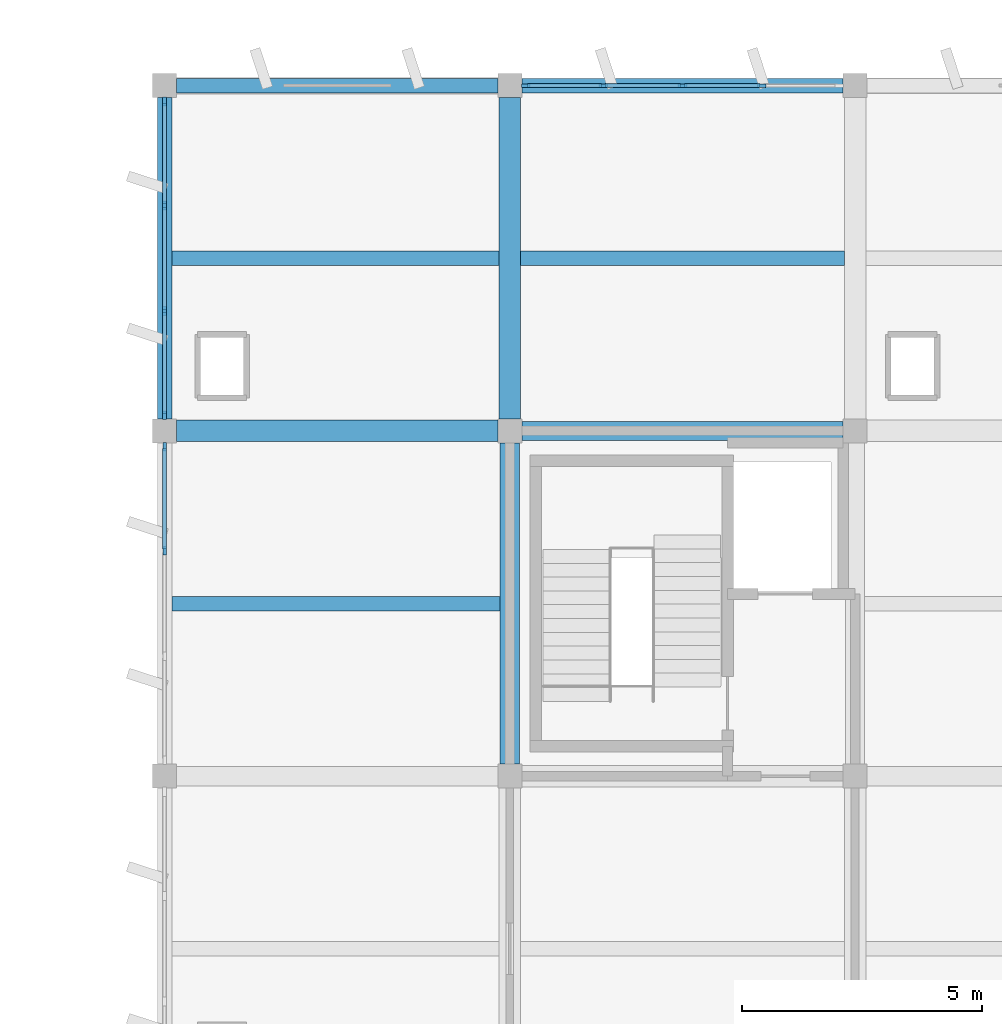
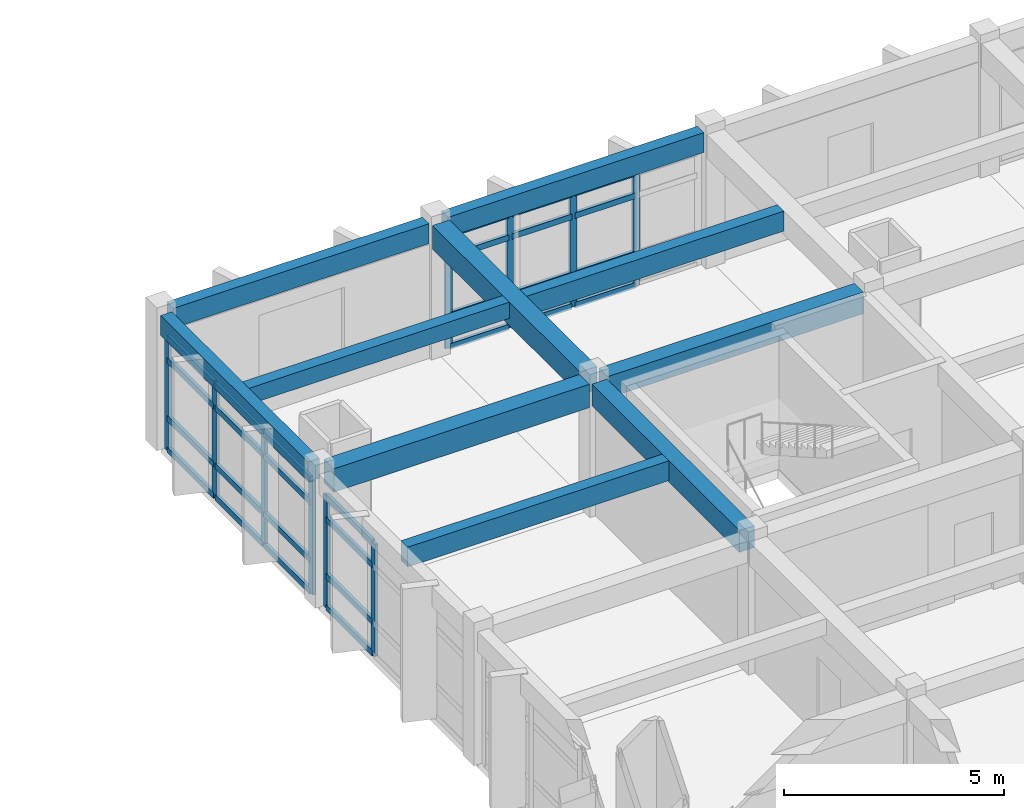
# One storey, part 17 of 40: 38 members, 10 beams, 3 elements without a shape of their own.
"""IFC4 building model written with IfcOpenShell, lengths in metres."""

from ifc_helpers import new_model, si_unit, direction, frame, origin, origin_2d, place, context, subcontext, project, spatial, rectangle, extrude, material, layer, layer_set, material_profile, profile_set, type_object, element, aggregate, save


model = new_model("IFC4")

# Units and contexts
model_context = context("Model", 3, precision=1e-05, world=origin(), true_north=direction((0.0, 1.0)))
body_context = subcontext(model_context, "Body", "Model", "MODEL_VIEW")
ifc_project = project(units=[si_unit("LENGTHUNIT", "METRE"), si_unit("AREAUNIT", "SQUARE_METRE"), si_unit("VOLUMEUNIT", "CUBIC_METRE"), si_unit("PLANEANGLEUNIT", "RADIAN"), si_unit("MASSUNIT", "GRAM", prefix="KILO")], contexts=[model_context])

# Site, building, storey
site_placement = place(None, origin())
site = spatial("IfcSite", under=ifc_project, at=site_placement, CompositionType="ELEMENT")
building_placement = place(site_placement, origin())
building = spatial("IfcBuilding", under=site, at=building_placement, Name="Kavelor Marine Aquarium", CompositionType="ELEMENT")
storey_placement = place(building_placement, frame((0.0, 0.0, 17.639892578125)))
storey = spatial("IfcBuildingStorey", under=building, at=storey_placement, Name="L04", CompositionType="ELEMENT", Elevation=17.639892578125)

# Beams
ifc_material_1 = material(Name="Concrete C40/50", Category="concrete")
ifc_material_profile_1 = material_profile(ifc_material_1, rectangle(XDim=0.449951171875, YDim=0.64990234375, at=origin_2d()), Name="RC-BM 450x650")
ifc_profile_set_1 = profile_set([ifc_material_profile_1], Name="Concrete C40/50")
beam_type_1 = type_object("IfcBeamType", Name="BM-B3", PredefinedType="BEAM", material=ifc_profile_set_1)
beam_1_placement = place(storey_placement, frame((118.64990234375, 103.60009765625, 3.355224609375), z_axis=(1.0, 0.0, 0.0), x_axis=(0.0, 1.0, 0.0)))
element("IfcBeam", 1, at=beam_1_placement, inside=storey, type_object=beam_type_1, Name="bm:x:L04:L05:16_14", PredefinedType="BEAM", context=body_context, shape_type="SweptSolid", body=[
    extrude(rectangle(XDim=0.449951171875, YDim=0.64990234375, at=origin_2d()), origin(), (0.0, 0.0, 1.0), 6.7001953125),
])
beam_2_placement = place(storey_placement, frame((125.60009765625, 103.85009765625, 3.39501953125), z_axis=(0.0, 1.0, 0.0), x_axis=(-1.0, 0.0, 0.0)))
element("IfcBeam", 2, at=beam_2_placement, inside=storey, type_object=beam_type_1, Name="bm:y:L04:L05:17_14", PredefinedType="BEAM", context=body_context, shape_type="SweptSolid", body=[
    extrude(rectangle(XDim=0.449951171875, YDim=0.64990234375, at=origin_2d()), origin(), (0.0, 0.0, 1.0), 6.699951171875),
])
ifc_material_2 = material(Name="Concrete C40/50", Category="concrete")
ifc_material_profile_2 = material_profile(ifc_material_2, rectangle(XDim=0.39990234375, YDim=0.60009765625, at=origin_2d()), Name="RC-BM 400x600")
ifc_profile_set_2 = profile_set([ifc_material_profile_2], Name="Concrete C40/50")
beam_type_2 = type_object("IfcBeamType", Name="BM-B4", PredefinedType="BEAM", material=ifc_profile_set_2)
beam_3_placement = place(storey_placement, frame((125.85009765625, 103.60009765625, 3.400146484375), z_axis=(1.0, 0.0, 0.0), x_axis=(0.0, 1.0, 0.0)))
element("IfcBeam", 3, at=beam_3_placement, inside=storey, type_object=beam_type_2, Name="bm:x:L04:L05:17_14", PredefinedType="BEAM", context=body_context, shape_type="SweptSolid", body=[
    extrude(rectangle(XDim=0.39990234375, YDim=0.60009765625, at=origin_2d()), origin(), (0.0, 0.0, 1.0), 6.699951171875),
])
beam_4_placement = place(storey_placement, frame((125.60009765625, 96.64990234375, 3.380126953125), z_axis=(0.0, 1.0, 0.0), x_axis=(-1.0, 0.0, 0.0)))
element("IfcBeam", 4, at=beam_4_placement, inside=storey, type_object=beam_type_2, Name="bm:y:L04:L05:17_13", PredefinedType="BEAM", context=body_context, shape_type="SweptSolid", body=[
    extrude(rectangle(XDim=0.39990234375, YDim=0.60009765625, at=origin_2d()), origin(), (0.0, 0.0, 1.0), 6.7001953125),
])
ifc_material_3 = material(Name="Concrete C40/50", Category="concrete")
ifc_material_profile_3 = material_profile(ifc_material_3, rectangle(XDim=0.300048828125, YDim=0.449951171875, at=origin_2d()), Name="RC-JS 300x450")
ifc_profile_set_3 = profile_set([ifc_material_profile_3], Name="Concrete C40/50")
beam_type_3 = type_object("IfcBeamType", Name="BM-JS1", PredefinedType="JOIST", material=ifc_profile_set_3)
beam_5_placement = place(storey_placement, frame((118.550048828125, 107.199951171875, 3.4951171875), z_axis=(1.0, 0.0, 0.0), x_axis=(0.0, 1.0, 0.0)))
element("IfcBeam", 5, at=beam_5_placement, inside=storey, type_object=beam_type_3, Name="js:L04:L05:16_14", PredefinedType="JOIST", context=body_context, shape_type="SweptSolid", body=[
    extrude(rectangle(XDim=0.300048828125, YDim=0.449951171875, at=origin_2d()), origin(), (0.0, 0.0, 1.0), 6.824951171875),
])
ifc_material_4 = material(Name="Concrete C40/50", Category="concrete")
ifc_material_profile_4 = material_profile(ifc_material_4, rectangle(XDim=0.300048828125, YDim=0.550048828125, at=origin_2d()), Name="RC-JS 300x550")
ifc_profile_set_4 = profile_set([ifc_material_profile_4], Name="Concrete C40/50")
beam_type_4 = type_object("IfcBeamType", Name="BM-JS2", PredefinedType="JOIST", material=ifc_profile_set_4)
beam_6_placement = place(storey_placement, frame((118.550048828125, 100.0, 3.405029296875), z_axis=(1.0, 0.0, 0.0), x_axis=(0.0, 1.0, 0.0)))
element("IfcBeam", 6, at=beam_6_placement, inside=storey, type_object=beam_type_4, Name="js:L04:L05:16_13", PredefinedType="JOIST", context=body_context, shape_type="SweptSolid", body=[
    extrude(rectangle(XDim=0.300048828125, YDim=0.550048828125, at=origin_2d()), origin(), (0.0, 0.0, 1.0), 6.849853515625),
])
beam_7_placement = place(storey_placement, frame((125.824951171875, 107.199951171875, 3.445068359375), z_axis=(1.0, 0.0, 0.0), x_axis=(0.0, 1.0, 0.0)))
element("IfcBeam", 7, at=beam_7_placement, inside=storey, type_object=beam_type_4, Name="js:L04:L05:17_14", PredefinedType="JOIST", context=body_context, shape_type="SweptSolid", body=[
    extrude(rectangle(XDim=0.300048828125, YDim=0.550048828125, at=origin_2d()), origin(), (0.0, 0.0, 1.0), 6.75),
])
ifc_material_5 = material(Name="Concrete C40/50", Category="concrete")
ifc_material_profile_5 = material_profile(ifc_material_5, rectangle(XDim=0.300048828125, YDim=0.550048828125, at=origin_2d()), Name="RC-SP 300x550")
ifc_profile_set_5 = profile_set([ifc_material_profile_5], Name="Concrete C40/50")
beam_type_5 = type_object("IfcBeamType", Name="BM-SP2", PredefinedType="SPANDREL", material=ifc_profile_set_5)
beam_8_placement = place(storey_placement, frame((118.64990234375, 110.800048828125, 3.445068359375), z_axis=(1.0, 0.0, 0.0), x_axis=(0.0, 1.0, 0.0)))
element("IfcBeam", 8, at=beam_8_placement, inside=storey, type_object=beam_type_5, Name="bm:x:L04:L05:16_15", PredefinedType="SPANDREL", context=body_context, shape_type="SweptSolid", body=[
    extrude(rectangle(XDim=0.300048828125, YDim=0.550048828125, at=origin_2d()), origin(), (0.0, 0.0, 1.0), 6.7001953125),
])
for number, where, z_axis, x_axis, name in (
    (9, (125.85009765625, 110.800048828125, 3.445068359375), (1.0, 0.0, 0.0), (0.0, 1.0, 0.0), "bm:x:L04:L05:17_15"),
    (10, (118.39990234375, 103.85009765625, 3.445068359375), (0.0, 1.0, 0.0), (-1.0, 0.0, 0.0), "bm:y:L04:L05:16_14"),
):
    element("IfcBeam", number, at=place(storey_placement, frame(where, z_axis=z_axis, x_axis=x_axis)), inside=storey, type_object=beam_type_5, Name=name, PredefinedType="SPANDREL", context=body_context, shape_type="SweptSolid", body=[
        extrude(rectangle(XDim=0.300048828125, YDim=0.550048828125, at=origin_2d()), origin(), (0.0, 0.0, 1.0), 6.699951171875),
    ])

# Curtain wall, members
ifc_material_6 = material(Name="Thermally Broken Aluminium and Low-E Glass", Category="aluminium")
ifc_layer_1 = layer(ifc_material_6, 0.26806640625)
ifc_layer_set_1 = layer_set([ifc_layer_1], Name="CW-SYS16")
curtain_wall_type_1 = type_object("IfcCurtainWallType", Name="CW-SYS16", PredefinedType="USERDEFINED", material=ifc_layer_set_1)
curtain_wall_1_placement = place(storey_placement, origin())
curtain_wall_1 = element("IfcCurtainWall", 11, at=curtain_wall_1_placement, inside=storey, type_object=curtain_wall_type_1, Name="cw:x:L04:17_15", ObjectType="Curtain Wall", PredefinedType="USERDEFINED")
ifc_material_7 = material(Name="Anodised Aluminium Alloy 6063-T6", Category="aluminium")
ifc_material_profile_6 = material_profile(ifc_material_7, rectangle(XDim=0.074951171875, YDim=0.179931640625, at=origin_2d()), Name="CW-MUL 75x180")
ifc_profile_set_6 = profile_set([ifc_material_profile_6], Name="Anodised Aluminium Alloy 6063-T6")
member_type_1 = type_object("IfcMemberType", Name="CWM-1", PredefinedType="MULLION", material=ifc_profile_set_6)
member_1_placement = place(storey_placement, frame((125.9326171875, 110.800048828125, 0.0), z_axis=(0.0, 0.0, 1.0), x_axis=(0.0, 1.0, 0.0)))
member_1 = element("IfcMember", 12, at=member_1_placement, type_object=member_type_1, Name="CW16 mullion 1", PredefinedType="MULLION", context=body_context, shape_type="SweptSolid", body=[
    extrude(rectangle(XDim=0.074951171875, YDim=0.179931640625, at=origin_2d()), origin(), (0.0, 0.0, 1.0), 3.16015625),
])
member_2_placement = place(storey_placement, frame((127.547607421875, 110.800048828125, 0.0), z_axis=(0.0, 0.0, 1.0), x_axis=(0.0, 1.0, 0.0)))
member_2 = element("IfcMember", 13, at=member_2_placement, type_object=member_type_1, Name="CW16 mullion 2", PredefinedType="MULLION", context=body_context, shape_type="SweptSolid", body=[
    extrude(rectangle(XDim=0.074951171875, YDim=0.179931640625, at=origin_2d()), origin(), (0.0, 0.0, 1.0), 3.16015625),
])
member_3_placement = place(storey_placement, frame((129.199951171875, 110.800048828125, 0.0), z_axis=(0.0, 0.0, 1.0), x_axis=(0.0, 1.0, 0.0)))
member_3 = element("IfcMember", 14, at=member_3_placement, type_object=member_type_1, Name="CW16 mullion 3", PredefinedType="MULLION", context=body_context, shape_type="SweptSolid", body=[
    extrude(rectangle(XDim=0.074951171875, YDim=0.179931640625, at=origin_2d()), origin(), (0.0, 0.0, 1.0), 3.16015625),
])
member_4_placement = place(storey_placement, frame((130.8525390625, 110.800048828125, 0.0), z_axis=(0.0, 0.0, 1.0), x_axis=(0.0, 1.0, 0.0)))
member_4 = element("IfcMember", 15, at=member_4_placement, type_object=member_type_1, Name="CW16 mullion 4", PredefinedType="MULLION", context=body_context, shape_type="SweptSolid", body=[
    extrude(rectangle(XDim=0.074951171875, YDim=0.179931640625, at=origin_2d()), origin(), (0.0, 0.0, 1.0), 3.16015625),
])

ifc_material_8 = material(Name="Thermally Broken Aluminium and Low-E Glass", Category="aluminium")
ifc_layer_2 = layer(ifc_material_8, 0.31591796875)
ifc_layer_set_2 = layer_set([ifc_layer_2], Name="CW-SYS22")
curtain_wall_type_2 = type_object("IfcCurtainWallType", Name="CW-SYS22", PredefinedType="USERDEFINED", material=ifc_layer_set_2)
curtain_wall_2_placement = place(storey_placement, origin())
curtain_wall_2 = element("IfcCurtainWall", 16, at=curtain_wall_2_placement, inside=storey, type_object=curtain_wall_type_2, Name="cw:y:L04:16_13", ObjectType="Curtain Wall", PredefinedType="USERDEFINED")
member_5_placement = place(storey_placement, frame((118.39990234375, 103.267578125, 0.0), z_axis=(0.0, 0.0, 1.0), x_axis=(1.0, 0.0, 0.0)))
member_5 = element("IfcMember", 17, at=member_5_placement, type_object=member_type_1, Name="CW22 mullion 1", PredefinedType="MULLION", context=body_context, shape_type="SweptSolid", body=[
    extrude(rectangle(XDim=0.074951171875, YDim=0.179931640625, at=origin_2d()), origin(), (0.0, 0.0, 1.0), 3.1201171875),
])
member_6_placement = place(storey_placement, frame((118.39990234375, 101.1015625, 0.0), z_axis=(0.0, 0.0, 1.0), x_axis=(1.0, 0.0, 0.0)))
member_6 = element("IfcMember", 18, at=member_6_placement, type_object=member_type_1, Name="CW22 mullion 2", PredefinedType="MULLION", context=body_context, shape_type="SweptSolid", body=[
    extrude(rectangle(XDim=0.074951171875, YDim=0.179931640625, at=origin_2d()), origin(), (0.0, 0.0, 1.0), 3.1201171875),
])

ifc_material_9 = material(Name="Thermally Broken Aluminium and Low-E Glass", Category="aluminium")
ifc_layer_3 = layer(ifc_material_9, 0.323974609375)
ifc_layer_set_3 = layer_set([ifc_layer_3], Name="CW-SYS23")
curtain_wall_type_3 = type_object("IfcCurtainWallType", Name="CW-SYS23", PredefinedType="USERDEFINED", material=ifc_layer_set_3)
curtain_wall_3_placement = place(storey_placement, origin())
curtain_wall_3 = element("IfcCurtainWall", 19, at=curtain_wall_3_placement, inside=storey, type_object=curtain_wall_type_3, Name="cw:y:L04:16_14", ObjectType="Curtain Wall", PredefinedType="USERDEFINED")
ifc_material_10 = material(Name="Anodised Aluminium Alloy 6063-T6", Category="aluminium")
ifc_material_profile_7 = material_profile(ifc_material_10, rectangle(XDim=0.080078125, YDim=0.18505859375, at=origin_2d()), Name="CW-MUL 80x185")
ifc_profile_set_7 = profile_set([ifc_material_profile_7], Name="Anodised Aluminium Alloy 6063-T6")
member_type_2 = type_object("IfcMemberType", Name="CWM-2", PredefinedType="MULLION", material=ifc_profile_set_7)
member_7_placement = place(storey_placement, frame((118.39990234375, 110.472412109375, 0.0), z_axis=(0.0, 0.0, 1.0), x_axis=(1.0, 0.0, 0.0)))
member_7 = element("IfcMember", 20, at=member_7_placement, type_object=member_type_2, Name="CW23 mullion 1", PredefinedType="MULLION", context=body_context, shape_type="SweptSolid", body=[
    extrude(rectangle(XDim=0.080078125, YDim=0.18505859375, at=origin_2d()), origin(), (0.0, 0.0, 1.0), 3.16015625),
])
member_8_placement = place(storey_placement, frame((118.39990234375, 108.3017578125, 0.0), z_axis=(0.0, 0.0, 1.0), x_axis=(1.0, 0.0, 0.0)))
member_8 = element("IfcMember", 21, at=member_8_placement, type_object=member_type_2, Name="CW23 mullion 2", PredefinedType="MULLION", context=body_context, shape_type="SweptSolid", body=[
    extrude(rectangle(XDim=0.080078125, YDim=0.18505859375, at=origin_2d()), origin(), (0.0, 0.0, 1.0), 3.16015625),
])
member_9_placement = place(storey_placement, frame((118.39990234375, 106.098388671875, 0.0), z_axis=(0.0, 0.0, 1.0), x_axis=(1.0, 0.0, 0.0)))
member_9 = element("IfcMember", 22, at=member_9_placement, type_object=member_type_2, Name="CW23 mullion 3", PredefinedType="MULLION", context=body_context, shape_type="SweptSolid", body=[
    extrude(rectangle(XDim=0.080078125, YDim=0.18505859375, at=origin_2d()), origin(), (0.0, 0.0, 1.0), 3.16015625),
])
member_10_placement = place(storey_placement, frame((118.39990234375, 103.927490234375, 0.0), z_axis=(0.0, 0.0, 1.0), x_axis=(1.0, 0.0, 0.0)))
member_10 = element("IfcMember", 23, at=member_10_placement, type_object=member_type_2, Name="CW23 mullion 4", PredefinedType="MULLION", context=body_context, shape_type="SweptSolid", body=[
    extrude(rectangle(XDim=0.080078125, YDim=0.18505859375, at=origin_2d()), origin(), (0.0, 0.0, 1.0), 3.16015625),
])

# Member
ifc_material_11 = material(Name="Anodised Aluminium Alloy 6063-T6", Category="aluminium")
ifc_material_profile_8 = material_profile(ifc_material_11, rectangle(XDim=0.0849609375, YDim=0.159912109375, at=origin_2d()), Name="CW-TRN 85x160")
ifc_profile_set_8 = profile_set([ifc_material_profile_8], Name="Anodised Aluminium Alloy 6063-T6")
member_type_3 = type_object("IfcMemberType", Name="CWT-3", PredefinedType="USERDEFINED", material=ifc_profile_set_8)
member_11_placement = place(storey_placement, frame((125.969970703125, 110.800048828125, 0.030029296875), z_axis=(1.0, 0.0, 0.0), x_axis=(0.0, 1.0, 0.0)))
member_11 = element("IfcMember", 24, at=member_11_placement, type_object=member_type_3, Name="CW16 transom 1.1", ObjectType="TRANSOM", PredefinedType="USERDEFINED", context=body_context, shape_type="SweptSolid", body=[
    extrude(rectangle(XDim=0.0849609375, YDim=0.159912109375, at=origin_2d()), origin(), (0.0, 0.0, 1.0), 1.5400390625),
])

member_12_placement = place(storey_placement, frame((125.969970703125, 110.800048828125, 0.900146484375), z_axis=(1.0, 0.0, 0.0), x_axis=(0.0, 1.0, 0.0)))
member_12 = element("IfcMember", 25, at=member_12_placement, type_object=member_type_3, Name="CW16 transom 1.2", ObjectType="TRANSOM", PredefinedType="USERDEFINED", context=body_context, shape_type="SweptSolid", body=[
    extrude(rectangle(XDim=0.0849609375, YDim=0.159912109375, at=origin_2d()), origin(), (0.0, 0.0, 1.0), 1.5400390625),
])

member_13_placement = place(storey_placement, frame((125.969970703125, 110.800048828125, 2.510009765625), z_axis=(1.0, 0.0, 0.0), x_axis=(0.0, 1.0, 0.0)))
member_13 = element("IfcMember", 26, at=member_13_placement, type_object=member_type_3, Name="CW16 transom 1.3", ObjectType="TRANSOM", PredefinedType="USERDEFINED", context=body_context, shape_type="SweptSolid", body=[
    extrude(rectangle(XDim=0.0849609375, YDim=0.159912109375, at=origin_2d()), origin(), (0.0, 0.0, 1.0), 1.5400390625),
])

member_14_placement = place(storey_placement, frame((125.969970703125, 110.800048828125, 3.130126953125), z_axis=(1.0, 0.0, 0.0), x_axis=(0.0, 1.0, 0.0)))
member_14 = element("IfcMember", 27, at=member_14_placement, type_object=member_type_3, Name="CW16 transom 1.4", ObjectType="TRANSOM", PredefinedType="USERDEFINED", context=body_context, shape_type="SweptSolid", body=[
    extrude(rectangle(XDim=0.0849609375, YDim=0.159912109375, at=origin_2d()), origin(), (0.0, 0.0, 1.0), 1.5400390625),
])

member_15_placement = place(storey_placement, frame((127.5849609375, 110.800048828125, 0.030029296875), z_axis=(1.0, 0.0, 0.0), x_axis=(0.0, 1.0, 0.0)))
member_15 = element("IfcMember", 28, at=member_15_placement, type_object=member_type_3, Name="CW16 transom 2.1", ObjectType="TRANSOM", PredefinedType="USERDEFINED", context=body_context, shape_type="SweptSolid", body=[
    extrude(rectangle(XDim=0.0849609375, YDim=0.159912109375, at=origin_2d()), origin(), (0.0, 0.0, 1.0), 1.57763671875),
])

member_16_placement = place(storey_placement, frame((127.5849609375, 110.800048828125, 0.900146484375), z_axis=(1.0, 0.0, 0.0), x_axis=(0.0, 1.0, 0.0)))
member_16 = element("IfcMember", 29, at=member_16_placement, type_object=member_type_3, Name="CW16 transom 2.2", ObjectType="TRANSOM", PredefinedType="USERDEFINED", context=body_context, shape_type="SweptSolid", body=[
    extrude(rectangle(XDim=0.0849609375, YDim=0.159912109375, at=origin_2d()), origin(), (0.0, 0.0, 1.0), 1.57763671875),
])

member_17_placement = place(storey_placement, frame((127.5849609375, 110.800048828125, 2.510009765625), z_axis=(1.0, 0.0, 0.0), x_axis=(0.0, 1.0, 0.0)))
member_17 = element("IfcMember", 30, at=member_17_placement, type_object=member_type_3, Name="CW16 transom 2.3", ObjectType="TRANSOM", PredefinedType="USERDEFINED", context=body_context, shape_type="SweptSolid", body=[
    extrude(rectangle(XDim=0.0849609375, YDim=0.159912109375, at=origin_2d()), origin(), (0.0, 0.0, 1.0), 1.57763671875),
])

member_18_placement = place(storey_placement, frame((127.5849609375, 110.800048828125, 3.130126953125), z_axis=(1.0, 0.0, 0.0), x_axis=(0.0, 1.0, 0.0)))
member_18 = element("IfcMember", 31, at=member_18_placement, type_object=member_type_3, Name="CW16 transom 2.4", ObjectType="TRANSOM", PredefinedType="USERDEFINED", context=body_context, shape_type="SweptSolid", body=[
    extrude(rectangle(XDim=0.0849609375, YDim=0.159912109375, at=origin_2d()), origin(), (0.0, 0.0, 1.0), 1.57763671875),
])

member_19_placement = place(storey_placement, frame((129.237548828125, 110.800048828125, 0.030029296875), z_axis=(1.0, 0.0, 0.0), x_axis=(0.0, 1.0, 0.0)))
member_19 = element("IfcMember", 32, at=member_19_placement, type_object=member_type_3, Name="CW16 transom 3.1", ObjectType="TRANSOM", PredefinedType="USERDEFINED", context=body_context, shape_type="SweptSolid", body=[
    extrude(rectangle(XDim=0.0849609375, YDim=0.159912109375, at=origin_2d()), origin(), (0.0, 0.0, 1.0), 1.577392578125),
])

member_20_placement = place(storey_placement, frame((129.237548828125, 110.800048828125, 0.900146484375), z_axis=(1.0, 0.0, 0.0), x_axis=(0.0, 1.0, 0.0)))
member_20 = element("IfcMember", 33, at=member_20_placement, type_object=member_type_3, Name="CW16 transom 3.2", ObjectType="TRANSOM", PredefinedType="USERDEFINED", context=body_context, shape_type="SweptSolid", body=[
    extrude(rectangle(XDim=0.0849609375, YDim=0.159912109375, at=origin_2d()), origin(), (0.0, 0.0, 1.0), 1.577392578125),
])

member_21_placement = place(storey_placement, frame((129.237548828125, 110.800048828125, 2.510009765625), z_axis=(1.0, 0.0, 0.0), x_axis=(0.0, 1.0, 0.0)))
member_21 = element("IfcMember", 34, at=member_21_placement, type_object=member_type_3, Name="CW16 transom 3.3", ObjectType="TRANSOM", PredefinedType="USERDEFINED", context=body_context, shape_type="SweptSolid", body=[
    extrude(rectangle(XDim=0.0849609375, YDim=0.159912109375, at=origin_2d()), origin(), (0.0, 0.0, 1.0), 1.577392578125),
])

member_22_placement = place(storey_placement, frame((129.237548828125, 110.800048828125, 3.130126953125), z_axis=(1.0, 0.0, 0.0), x_axis=(0.0, 1.0, 0.0)))
member_22 = element("IfcMember", 35, at=member_22_placement, type_object=member_type_3, Name="CW16 transom 3.4", ObjectType="TRANSOM", PredefinedType="USERDEFINED", context=body_context, shape_type="SweptSolid", body=[
    extrude(rectangle(XDim=0.0849609375, YDim=0.159912109375, at=origin_2d()), origin(), (0.0, 0.0, 1.0), 1.577392578125),
])

aggregate(curtain_wall_1, [member_1, member_2, member_3, member_4, member_11, member_12, member_13, member_14, member_15, member_16, member_17, member_18, member_19, member_20, member_21, member_22])

member_23_placement = place(storey_placement, frame((118.39990234375, 103.22998046875, 0.030029296875), z_axis=(0.0, -1.0, 0.0), x_axis=(1.0, 0.0, 0.0)))
member_23 = element("IfcMember", 36, at=member_23_placement, type_object=member_type_3, Name="CW22 transom 1.1", ObjectType="TRANSOM", PredefinedType="USERDEFINED", context=body_context, shape_type="SweptSolid", body=[
    extrude(rectangle(XDim=0.0849609375, YDim=0.159912109375, at=origin_2d()), origin(), (0.0, 0.0, 1.0), 2.0908203125),
])

member_24_placement = place(storey_placement, frame((118.39990234375, 103.22998046875, 0.900146484375), z_axis=(0.0, -1.0, 0.0), x_axis=(1.0, 0.0, 0.0)))
member_24 = element("IfcMember", 37, at=member_24_placement, type_object=member_type_3, Name="CW22 transom 1.2", ObjectType="TRANSOM", PredefinedType="USERDEFINED", context=body_context, shape_type="SweptSolid", body=[
    extrude(rectangle(XDim=0.0849609375, YDim=0.159912109375, at=origin_2d()), origin(), (0.0, 0.0, 1.0), 2.0908203125),
])

member_25_placement = place(storey_placement, frame((118.39990234375, 103.22998046875, 2.47021484375), z_axis=(0.0, -1.0, 0.0), x_axis=(1.0, 0.0, 0.0)))
member_25 = element("IfcMember", 38, at=member_25_placement, type_object=member_type_3, Name="CW22 transom 1.3", ObjectType="TRANSOM", PredefinedType="USERDEFINED", context=body_context, shape_type="SweptSolid", body=[
    extrude(rectangle(XDim=0.0849609375, YDim=0.159912109375, at=origin_2d()), origin(), (0.0, 0.0, 1.0), 2.0908203125),
])

member_26_placement = place(storey_placement, frame((118.39990234375, 103.22998046875, 3.090087890625), z_axis=(0.0, -1.0, 0.0), x_axis=(1.0, 0.0, 0.0)))
member_26 = element("IfcMember", 39, at=member_26_placement, type_object=member_type_3, Name="CW22 transom 1.4", ObjectType="TRANSOM", PredefinedType="USERDEFINED", context=body_context, shape_type="SweptSolid", body=[
    extrude(rectangle(XDim=0.0849609375, YDim=0.159912109375, at=origin_2d()), origin(), (0.0, 0.0, 1.0), 2.0908203125),
])

aggregate(curtain_wall_2, [member_5, member_6, member_23, member_24, member_25, member_26])

member_27_placement = place(storey_placement, frame((118.39990234375, 110.43994140625, 0.030029296875), z_axis=(0.0, -1.0, 0.0), x_axis=(1.0, 0.0, 0.0)))
member_27 = element("IfcMember", 40, at=member_27_placement, type_object=member_type_3, Name="CW23 transom 1.1", ObjectType="TRANSOM", PredefinedType="USERDEFINED", context=body_context, shape_type="SweptSolid", body=[
    extrude(rectangle(XDim=0.0849609375, YDim=0.159912109375, at=origin_2d()), origin(), (0.0, 0.0, 1.0), 2.105712890625),
])

member_28_placement = place(storey_placement, frame((118.39990234375, 110.43994140625, 0.900146484375), z_axis=(0.0, -1.0, 0.0), x_axis=(1.0, 0.0, 0.0)))
member_28 = element("IfcMember", 41, at=member_28_placement, type_object=member_type_3, Name="CW23 transom 1.2", ObjectType="TRANSOM", PredefinedType="USERDEFINED", context=body_context, shape_type="SweptSolid", body=[
    extrude(rectangle(XDim=0.0849609375, YDim=0.159912109375, at=origin_2d()), origin(), (0.0, 0.0, 1.0), 2.105712890625),
])

member_29_placement = place(storey_placement, frame((118.39990234375, 110.43994140625, 2.510009765625), z_axis=(0.0, -1.0, 0.0), x_axis=(1.0, 0.0, 0.0)))
member_29 = element("IfcMember", 42, at=member_29_placement, type_object=member_type_3, Name="CW23 transom 1.3", ObjectType="TRANSOM", PredefinedType="USERDEFINED", context=body_context, shape_type="SweptSolid", body=[
    extrude(rectangle(XDim=0.0849609375, YDim=0.159912109375, at=origin_2d()), origin(), (0.0, 0.0, 1.0), 2.105712890625),
])

member_30_placement = place(storey_placement, frame((118.39990234375, 110.43994140625, 3.130126953125), z_axis=(0.0, -1.0, 0.0), x_axis=(1.0, 0.0, 0.0)))
member_30 = element("IfcMember", 43, at=member_30_placement, type_object=member_type_3, Name="CW23 transom 1.4", ObjectType="TRANSOM", PredefinedType="USERDEFINED", context=body_context, shape_type="SweptSolid", body=[
    extrude(rectangle(XDim=0.0849609375, YDim=0.159912109375, at=origin_2d()), origin(), (0.0, 0.0, 1.0), 2.105712890625),
])

member_31_placement = place(storey_placement, frame((118.39990234375, 108.269287109375, 0.030029296875), z_axis=(0.0, -1.0, 0.0), x_axis=(1.0, 0.0, 0.0)))
member_31 = element("IfcMember", 44, at=member_31_placement, type_object=member_type_3, Name="CW23 transom 2.1", ObjectType="TRANSOM", PredefinedType="USERDEFINED", context=body_context, shape_type="SweptSolid", body=[
    extrude(rectangle(XDim=0.0849609375, YDim=0.159912109375, at=origin_2d()), origin(), (0.0, 0.0, 1.0), 2.138427734375),
])

member_32_placement = place(storey_placement, frame((118.39990234375, 108.269287109375, 0.900146484375), z_axis=(0.0, -1.0, 0.0), x_axis=(1.0, 0.0, 0.0)))
member_32 = element("IfcMember", 45, at=member_32_placement, type_object=member_type_3, Name="CW23 transom 2.2", ObjectType="TRANSOM", PredefinedType="USERDEFINED", context=body_context, shape_type="SweptSolid", body=[
    extrude(rectangle(XDim=0.0849609375, YDim=0.159912109375, at=origin_2d()), origin(), (0.0, 0.0, 1.0), 2.138427734375),
])

member_33_placement = place(storey_placement, frame((118.39990234375, 108.269287109375, 2.510009765625), z_axis=(0.0, -1.0, 0.0), x_axis=(1.0, 0.0, 0.0)))
member_33 = element("IfcMember", 46, at=member_33_placement, type_object=member_type_3, Name="CW23 transom 2.3", ObjectType="TRANSOM", PredefinedType="USERDEFINED", context=body_context, shape_type="SweptSolid", body=[
    extrude(rectangle(XDim=0.0849609375, YDim=0.159912109375, at=origin_2d()), origin(), (0.0, 0.0, 1.0), 2.138427734375),
])

member_34_placement = place(storey_placement, frame((118.39990234375, 108.269287109375, 3.130126953125), z_axis=(0.0, -1.0, 0.0), x_axis=(1.0, 0.0, 0.0)))
member_34 = element("IfcMember", 47, at=member_34_placement, type_object=member_type_3, Name="CW23 transom 2.4", ObjectType="TRANSOM", PredefinedType="USERDEFINED", context=body_context, shape_type="SweptSolid", body=[
    extrude(rectangle(XDim=0.0849609375, YDim=0.159912109375, at=origin_2d()), origin(), (0.0, 0.0, 1.0), 2.138427734375),
])

member_35_placement = place(storey_placement, frame((118.39990234375, 106.06591796875, 0.030029296875), z_axis=(0.0, -1.0, 0.0), x_axis=(1.0, 0.0, 0.0)))
member_35 = element("IfcMember", 48, at=member_35_placement, type_object=member_type_3, Name="CW23 transom 3.1", ObjectType="TRANSOM", PredefinedType="USERDEFINED", context=body_context, shape_type="SweptSolid", body=[
    extrude(rectangle(XDim=0.0849609375, YDim=0.159912109375, at=origin_2d()), origin(), (0.0, 0.0, 1.0), 2.10595703125),
])

member_36_placement = place(storey_placement, frame((118.39990234375, 106.06591796875, 0.900146484375), z_axis=(0.0, -1.0, 0.0), x_axis=(1.0, 0.0, 0.0)))
member_36 = element("IfcMember", 49, at=member_36_placement, type_object=member_type_3, Name="CW23 transom 3.2", ObjectType="TRANSOM", PredefinedType="USERDEFINED", context=body_context, shape_type="SweptSolid", body=[
    extrude(rectangle(XDim=0.0849609375, YDim=0.159912109375, at=origin_2d()), origin(), (0.0, 0.0, 1.0), 2.10595703125),
])

member_37_placement = place(storey_placement, frame((118.39990234375, 106.06591796875, 2.510009765625), z_axis=(0.0, -1.0, 0.0), x_axis=(1.0, 0.0, 0.0)))
member_37 = element("IfcMember", 50, at=member_37_placement, type_object=member_type_3, Name="CW23 transom 3.3", ObjectType="TRANSOM", PredefinedType="USERDEFINED", context=body_context, shape_type="SweptSolid", body=[
    extrude(rectangle(XDim=0.0849609375, YDim=0.159912109375, at=origin_2d()), origin(), (0.0, 0.0, 1.0), 2.10595703125),
])

member_38_placement = place(storey_placement, frame((118.39990234375, 106.06591796875, 3.130126953125), z_axis=(0.0, -1.0, 0.0), x_axis=(1.0, 0.0, 0.0)))
member_38 = element("IfcMember", 51, at=member_38_placement, type_object=member_type_3, Name="CW23 transom 3.4", ObjectType="TRANSOM", PredefinedType="USERDEFINED", context=body_context, shape_type="SweptSolid", body=[
    extrude(rectangle(XDim=0.0849609375, YDim=0.159912109375, at=origin_2d()), origin(), (0.0, 0.0, 1.0), 2.10595703125),
])

aggregate(curtain_wall_3, [member_7, member_8, member_9, member_10, member_27, member_28, member_29, member_30, member_31, member_32, member_33, member_34, member_35, member_36, member_37, member_38])

save(model, "model.ifc")
